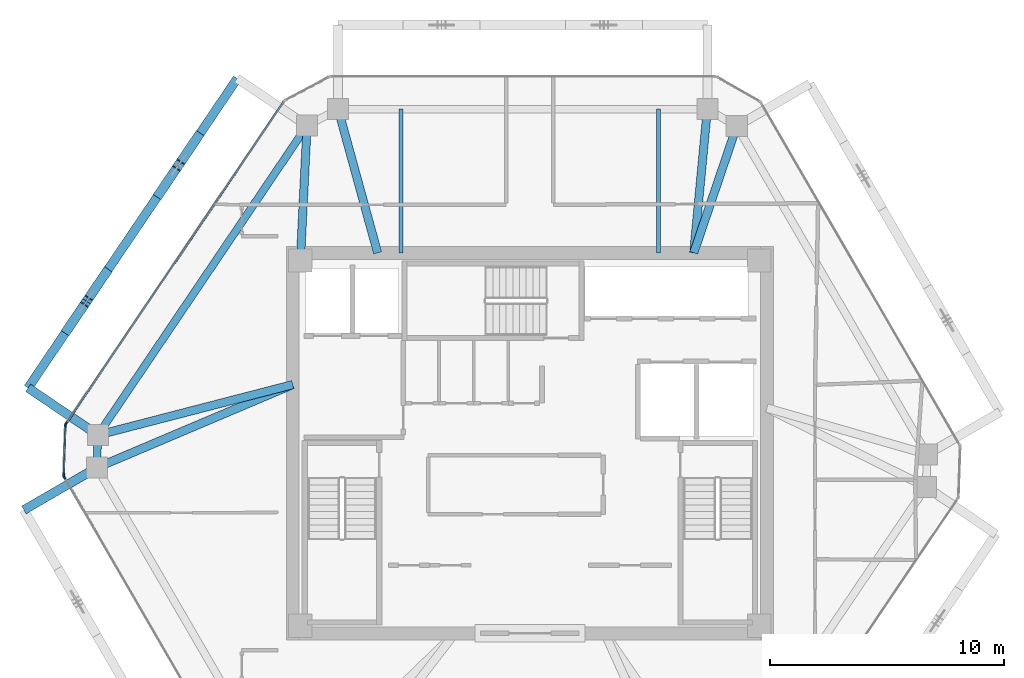
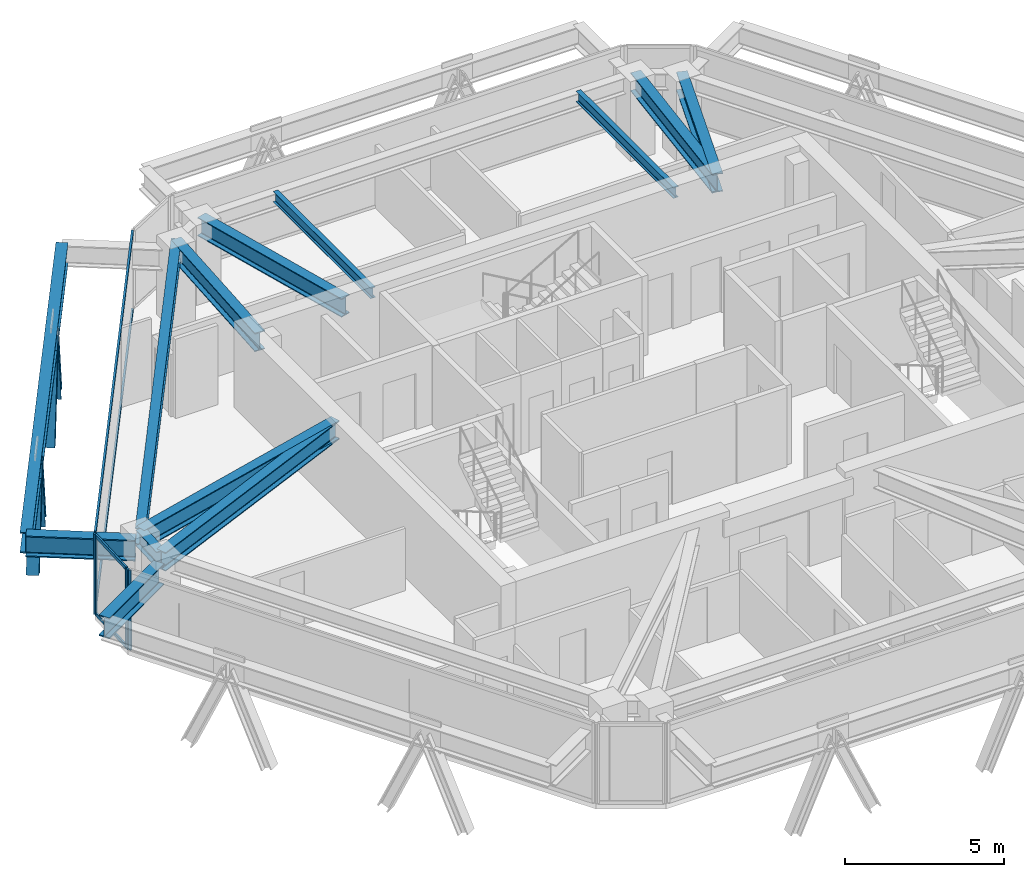
# One storey, part 4 of 13: 13 beams, 12 members, 3 elements without a shape of their own.
"""IFC4 building model written with IfcOpenShell, lengths in metres."""

from ifc_helpers import new_model, si_unit, direction, frame, origin, origin_2d, place, context, subcontext, project, spatial, rectangle, i_section, extrude, source, transform, mapped, material, layer, layer_set, material_profile, profile_set, type_object, type_shapes, element, aggregate, save


model = new_model("IFC4")

# Units and contexts
model_context = context("Model", 3, precision=1e-05, world=origin(), true_north=direction((0.0, 1.0)))
body_context = subcontext(model_context, "Body", "Model", "MODEL_VIEW")
ifc_project = project(units=[si_unit("LENGTHUNIT", "METRE"), si_unit("AREAUNIT", "SQUARE_METRE"), si_unit("VOLUMEUNIT", "CUBIC_METRE"), si_unit("PLANEANGLEUNIT", "RADIAN"), si_unit("MASSUNIT", "GRAM", prefix="KILO")], contexts=[model_context])

# Site, building, storey
site_placement = place(None, origin())
site = spatial("IfcSite", under=ifc_project, at=site_placement, CompositionType="ELEMENT")
building_placement = place(site_placement, origin())
building = spatial("IfcBuilding", under=site, at=building_placement, Name="Durnholm Broadcast Tower", CompositionType="ELEMENT")
storey_placement = place(building_placement, frame((0.0, 0.0, 248.0)))
storey = spatial("IfcBuildingStorey", under=building, at=storey_placement, Name="L69", CompositionType="ELEMENT", Elevation=248.0)

# Beams
ifc_material_1 = material(Name="Steel ASTM A992 Grade 50", Category="steel")
ifc_material_profile_1 = material_profile(ifc_material_1, i_section(OverallWidth=0.385009765625, OverallDepth=0.802978515625, WebThickness=0.023681640625, FlangeThickness=0.0419921875, FilletRadius=0.032958984375, at=origin_2d()), Name="W30X261")
ifc_profile_set_1 = profile_set([ifc_material_profile_1], Name="Steel ASTM A992 Grade 50")
beam_type_1 = type_object("IfcBeamType", Name="BM-EXO-TIE", PredefinedType="USERDEFINED", material=ifc_profile_set_1)
shared_shape_1 = source(origin(), body_context, "Body", "SweptSolid", [
    extrude(i_section(OverallWidth=0.385009765625, OverallDepth=0.802978515625, WebThickness=0.023681640625, FlangeThickness=0.0419921875, FilletRadius=0.032958984375, at=origin_2d()), origin(), (0.0, 0.0, 1.0), 3.4560546875),
])
for number, where, z_axis, x_axis, name in (
    (1, (-18.565673828125, 0.426513671875, 2.30859375), (-0.828413564093, 0.56011692246, 0.0), (-0.56011692246, -0.828413564093, 0.0), "L69 exoskeleton stand-off tie bracket F5.2"),
    (2, (-18.618896484375, -1.1201171875, 2.30859375), (-0.864876013532, -0.501985538852, 0.0), (0.501985538852, -0.864876013532, 0.0), "L69 exoskeleton stand-off tie bracket F6.1"),
):
    element("IfcBeam", number, at=place(storey_placement, frame(where, z_axis=z_axis, x_axis=x_axis)), inside=storey, type_object=beam_type_1, Name=name, ObjectType="GIRDER", PredefinedType="USERDEFINED", context=body_context, shape_type="MappedRepresentation", body=[
        mapped(shared_shape_1, transform((0.0, 0.0, 0.0), x_axis=(1.0, 0.0, 0.0), y_axis=(0.0, 1.0, 0.0), z_axis=(0.0, 0.0, 1.0), scale=1.0)),
    ])
ifc_material_profile_2 = material_profile(ifc_material_1, i_section(OverallWidth=0.3251953125, OverallDepth=0.6162109375, WebThickness=0.013916015625, FlangeThickness=0.021484375, FilletRadius=0.02783203125, at=origin_2d()), Name="W24X117")
ifc_profile_set_2 = profile_set([ifc_material_profile_2], Name="Steel ASTM A992 Grade 50")
beam_type_2 = type_object("IfcBeamType", Name="STL-SP-W24X117", PredefinedType="SPANDREL", material=ifc_profile_set_2)
shared_shape_2 = source(origin(), body_context, "Body", "SweptSolid", [
    extrude(i_section(OverallWidth=0.3251953125, OverallDepth=0.6162109375, WebThickness=0.013916015625, FlangeThickness=0.021484375, FilletRadius=0.02783203125, at=origin_2d()), origin(), (0.0, 0.0, 1.0), 1.39453125),
])
beam_1_placement = place(storey_placement, frame((-18.494384765625, -1.0478515625, 2.73681640625), z_axis=(0.034486393061, 0.999405167434, 0.0), x_axis=(-0.999405167434, 0.034486393061, 0.0)))
element("IfcBeam", 3, at=beam_1_placement, inside=storey, type_object=beam_type_2, Name="L69 perimeter spandrel girder 02", PredefinedType="SPANDREL", context=body_context, shape_type="MappedRepresentation", body=[
    mapped(shared_shape_2, transform((0.0, 0.0, 0.0), x_axis=(1.0, 0.0, 0.0), y_axis=(0.0, 1.0, 0.0), z_axis=(0.0, 0.0, 1.0), scale=1.0)),
])
shared_shape_3 = source(origin(), body_context, "Body", "SweptSolid", [
    extrude(i_section(OverallWidth=0.3251953125, OverallDepth=0.6162109375, WebThickness=0.013916015625, FlangeThickness=0.021484375, FilletRadius=0.02783203125, at=origin_2d()), origin(), (0.0, 0.0, 1.0), 15.947265625),
])
type_shapes(beam_type_2, [shared_shape_2, shared_shape_3])
beam_2_placement = place(storey_placement, frame((-18.4462890625, 0.345947265625, 2.73681640625), z_axis=(0.560062212489, 0.828450552623, 0.0), x_axis=(-0.828450552623, 0.560062212489, 0.0)))
element("IfcBeam", 4, at=beam_2_placement, inside=storey, type_object=beam_type_2, Name="L69 perimeter spandrel girder 03", PredefinedType="SPANDREL", context=body_context, shape_type="MappedRepresentation", body=[
    mapped(shared_shape_3, transform((0.0, 0.0, 0.0), x_axis=(1.0, 0.0, 0.0), y_axis=(0.0, 1.0, 0.0), z_axis=(0.0, 0.0, 1.0), scale=1.0)),
])
ifc_material_profile_3 = material_profile(ifc_material_1, i_section(OverallWidth=0.3564453125, OverallDepth=0.713623046875, WebThickness=0.01904296875, FlangeThickness=0.033935546875, FilletRadius=0.030517578125, at=origin_2d()), Name="W27X194")
ifc_profile_set_3 = profile_set([ifc_material_profile_3], Name="Steel ASTM A992 Grade 50")
beam_type_3 = type_object("IfcBeamType", Name="STL-GR-W27X194", PredefinedType="USERDEFINED", material=ifc_profile_set_3)
shared_shape_4 = source(origin(), body_context, "Body", "SweptSolid", [
    extrude(i_section(OverallWidth=0.3564453125, OverallDepth=0.713623046875, WebThickness=0.01904296875, FlangeThickness=0.033935546875, FilletRadius=0.030517578125, at=origin_2d()), origin(), (0.0, 0.0, 1.0), 5.764404296875),
])
beam_3_placement = place(storey_placement, frame((-9.800048828125, 7.800048828125, 2.688232421875), z_axis=(0.049468662109, 0.99877567625, 0.0), x_axis=(-0.99877567625, 0.049468662109, 0.0)))
element("IfcBeam", 5, at=beam_3_placement, inside=storey, type_object=beam_type_3, Name="L69 radial primary floor girder 04", ObjectType="GIRDER", PredefinedType="USERDEFINED", context=body_context, shape_type="MappedRepresentation", body=[
    mapped(shared_shape_4, transform((0.0, 0.0, 0.0), x_axis=(1.0, 0.0, 0.0), y_axis=(0.0, 1.0, 0.0), z_axis=(0.0, 0.0, 1.0), scale=1.0)),
])
shared_shape_5 = source(origin(), body_context, "Body", "SweptSolid", [
    extrude(i_section(OverallWidth=0.385009765625, OverallDepth=0.802978515625, WebThickness=0.023681640625, FlangeThickness=0.0419921875, FilletRadius=0.032958984375, at=origin_2d()), origin(), (0.0, 0.0, 1.0), 15.947021484375),
])
type_shapes(beam_type_1, [shared_shape_1, shared_shape_5])
beam_4_placement = place(storey_placement, frame((-12.497314453125, 15.573486328125, 2.30859375), z_axis=(-0.560069315853, -0.828445750451, 0.0), x_axis=(0.828445750451, -0.560069315853, 0.0)))
element("IfcBeam", 6, at=beam_4_placement, inside=storey, type_object=beam_type_1, Name="L69 exoskeleton collector spandrel F5", PredefinedType="SPANDREL", context=body_context, shape_type="MappedRepresentation", body=[
    mapped(shared_shape_5, transform((0.0, 0.0, 0.0), x_axis=(1.0, 0.0, 0.0), y_axis=(0.0, 1.0, 0.0), z_axis=(0.0, 0.0, 1.0), scale=1.0)),
])
shared_shape_6 = source(origin(), body_context, "Body", "SweptSolid", [
    extrude(i_section(OverallWidth=0.3564453125, OverallDepth=0.713623046875, WebThickness=0.01904296875, FlangeThickness=0.033935546875, FilletRadius=0.030517578125, at=origin_2d()), origin(), (0.0, 0.0, 1.0), 9.09033203125),
])
beam_5_placement = place(storey_placement, frame((-10.125, 2.5, 2.688232421875), z_axis=(-0.920692350722, -0.390289117607, 0.0), x_axis=(0.390289117607, -0.920692350722, 0.0)))
element("IfcBeam", 7, at=beam_5_placement, inside=storey, type_object=beam_type_3, Name="L69 radial primary floor girder 02", ObjectType="GIRDER", PredefinedType="USERDEFINED", context=body_context, shape_type="MappedRepresentation", body=[
    mapped(shared_shape_6, transform((0.0, 0.0, 0.0), x_axis=(1.0, 0.0, 0.0), y_axis=(0.0, 1.0, 0.0), z_axis=(0.0, 0.0, 1.0), scale=1.0)),
])
shared_shape_7 = source(origin(), body_context, "Body", "SweptSolid", [
    extrude(i_section(OverallWidth=0.3564453125, OverallDepth=0.713623046875, WebThickness=0.01904296875, FlangeThickness=0.033935546875, FilletRadius=0.030517578125, at=origin_2d()), origin(), (0.0, 0.0, 1.0), 8.595458984375),
])
beam_6_placement = place(storey_placement, frame((-10.125, 2.5, 2.688232421875), z_axis=(-0.968090619149, -0.250600385306, 0.0), x_axis=(0.250600385306, -0.968090619149, 0.0)))
element("IfcBeam", 8, at=beam_6_placement, inside=storey, type_object=beam_type_3, Name="L69 radial primary floor girder 03", ObjectType="GIRDER", PredefinedType="USERDEFINED", context=body_context, shape_type="MappedRepresentation", body=[
    mapped(shared_shape_7, transform((0.0, 0.0, 0.0), x_axis=(1.0, 0.0, 0.0), y_axis=(0.0, 1.0, 0.0), z_axis=(0.0, 0.0, 1.0), scale=1.0)),
])
shared_shape_8 = source(origin(), body_context, "Body", "SweptSolid", [
    extrude(i_section(OverallWidth=0.3564453125, OverallDepth=0.713623046875, WebThickness=0.01904296875, FlangeThickness=0.033935546875, FilletRadius=0.030517578125, at=origin_2d()), origin(), (0.0, 0.0, 1.0), 6.36474609375),
])
beam_7_placement = place(storey_placement, frame((-6.5, 8.125, 2.688232421875), z_axis=(-0.265168072834, 0.96420220553, 0.0), x_axis=(-0.96420220553, -0.265168072834, 0.0)))
element("IfcBeam", 9, at=beam_7_placement, inside=storey, type_object=beam_type_3, Name="L69 radial primary floor girder 05", ObjectType="GIRDER", PredefinedType="USERDEFINED", context=body_context, shape_type="MappedRepresentation", body=[
    mapped(shared_shape_8, transform((0.0, 0.0, 0.0), x_axis=(1.0, 0.0, 0.0), y_axis=(0.0, 1.0, 0.0), z_axis=(0.0, 0.0, 1.0), scale=1.0)),
])
shared_shape_9 = source(origin(), body_context, "Body", "SweptSolid", [
    extrude(i_section(OverallWidth=0.3564453125, OverallDepth=0.713623046875, WebThickness=0.01904296875, FlangeThickness=0.033935546875, FilletRadius=0.030517578125, at=origin_2d()), origin(), (0.0, 0.0, 1.0), 6.164306640625),
])
beam_8_placement = place(storey_placement, frame((7.0, 8.125, 2.688232421875), z_axis=(0.094024068139, 0.995569924521, 0.0), x_axis=(-0.995569924521, 0.094024068139, 0.0)))
element("IfcBeam", 10, at=beam_8_placement, inside=storey, type_object=beam_type_3, Name="L69 radial primary floor girder 06", ObjectType="GIRDER", PredefinedType="USERDEFINED", context=body_context, shape_type="MappedRepresentation", body=[
    mapped(shared_shape_9, transform((0.0, 0.0, 0.0), x_axis=(1.0, 0.0, 0.0), y_axis=(0.0, 1.0, 0.0), z_axis=(0.0, 0.0, 1.0), scale=1.0)),
])
shared_shape_10 = source(origin(), body_context, "Body", "SweptSolid", [
    extrude(i_section(OverallWidth=0.3564453125, OverallDepth=0.713623046875, WebThickness=0.01904296875, FlangeThickness=0.033935546875, FilletRadius=0.030517578125, at=origin_2d()), origin(), (0.0, 0.0, 1.0), 5.716064453125),
])
type_shapes(beam_type_3, [shared_shape_4, shared_shape_6, shared_shape_7, shared_shape_8, shared_shape_9, shared_shape_10])
beam_9_placement = place(storey_placement, frame((7.0, 8.125, 2.688232421875), z_axis=(0.321450919754, 0.946926241156, 0.0), x_axis=(-0.946926241156, 0.321450919754, 0.0)))
element("IfcBeam", 11, at=beam_9_placement, inside=storey, type_object=beam_type_3, Name="L69 radial primary floor girder 07", ObjectType="GIRDER", PredefinedType="USERDEFINED", context=body_context, shape_type="MappedRepresentation", body=[
    mapped(shared_shape_10, transform((0.0, 0.0, 0.0), x_axis=(1.0, 0.0, 0.0), y_axis=(0.0, 1.0, 0.0), z_axis=(0.0, 0.0, 1.0), scale=1.0)),
])
ifc_material_profile_4 = material_profile(ifc_material_1, i_section(OverallWidth=0.177734375, OverallDepth=0.40673828125, WebThickness=0.0078125, FlangeThickness=0.0126953125, FilletRadius=0.01904296875, at=origin_2d()), Name="W16X40")
ifc_profile_set_4 = profile_set([ifc_material_profile_4], Name="Steel ASTM A992 Grade 50")
beam_type_4 = type_object("IfcBeamType", Name="STL-BJ-W16X40", PredefinedType="JOIST", material=ifc_profile_set_4)
shared_shape_11 = source(origin(), body_context, "Body", "SweptSolid", [
    extrude(i_section(OverallWidth=0.177734375, OverallDepth=0.40673828125, WebThickness=0.0078125, FlangeThickness=0.0126953125, FilletRadius=0.01904296875, at=origin_2d()), origin(), (0.0, 0.0, 1.0), 6.136962890625),
])
type_shapes(beam_type_4, [shared_shape_11])
for number, where, z_axis, x_axis, name in (
    (12, (-5.5, 8.125, 2.841796875), (0.0, 1.0, 0.0), (-1.0, 0.0, 0.0), "L69 secondary floor joist 3.2"),
    (13, (5.5, 8.125, 2.841796875), (0.0, 1.0, 0.0), (-1.0, 0.0, 0.0), "L69 secondary floor joist 4.2"),
):
    element("IfcBeam", number, at=place(storey_placement, frame(where, z_axis=z_axis, x_axis=x_axis)), inside=storey, type_object=beam_type_4, Name=name, PredefinedType="JOIST", context=body_context, shape_type="MappedRepresentation", body=[
        mapped(shared_shape_11, transform((0.0, 0.0, 0.0), x_axis=(1.0, 0.0, 0.0), y_axis=(0.0, 1.0, 0.0), z_axis=(0.0, 0.0, 1.0), scale=1.0)),
    ])

# Members
ifc_material_2 = material(Name="Steel ASTM A913 Grade 65", Category="steel")
ifc_material_profile_5 = material_profile(ifc_material_2, i_section(OverallWidth=0.40625, OverallDepth=0.416015625, WebThickness=0.02978515625, FlangeThickness=0.048095703125, FilletRadius=0.030517578125, at=origin_2d()), Name="W14X257")
ifc_profile_set_5 = profile_set([ifc_material_profile_5], Name="Steel ASTM A913 Grade 65")
member_type_1 = type_object("IfcMemberType", Name="STL-DG-W14X257", PredefinedType="BRACE", material=ifc_profile_set_5)
shared_shape_12 = source(origin(), body_context, "Body", "SweptSolid", [
    extrude(i_section(OverallWidth=0.40625, OverallDepth=0.416015625, WebThickness=0.02978515625, FlangeThickness=0.048095703125, FilletRadius=0.030517578125, at=origin_2d()), origin(), (0.0, 0.0, 1.0), 3.60791015625),
])
type_shapes(member_type_1, [shared_shape_12])
for number, where, z_axis, x_axis, name in (
    (14, (-14.181396484375, 13.08251953125, -0.991455078125), (-0.226349134478, -0.334888450383, 0.914667040579), (0.828505003222, -0.559981660089, 0.0), "L69 stand-off diagrid brace F5.D1.1"),
    (15, (-15.814697265625, 10.666259765625, -0.991455078125), (0.226354263477, 0.334828369412, 0.914687766641), (-0.828452496411, 0.560059337206, 0.0), "L69 stand-off diagrid brace F5.D1.2"),
    (16, (-18.111328125, 7.269287109375, -0.991455078125), (-0.226354263477, -0.334828369412, 0.914687766641), (0.828452496411, -0.560059337206, 0.0), "L69 stand-off diagrid brace F5.D2.1"),
    (17, (-19.74462890625, 4.853271484375, -0.991455078125), (0.226354263477, 0.334828369412, 0.914687766641), (-0.828452496411, 0.560059337206, 0.0), "L69 stand-off diagrid brace F5.D2.2"),
):
    element("IfcMember", number, at=place(storey_placement, frame(where, z_axis=z_axis, x_axis=x_axis)), inside=storey, type_object=member_type_1, Name=name, PredefinedType="BRACE", context=body_context, shape_type="MappedRepresentation", body=[
        mapped(shared_shape_12, transform((0.0, 0.0, 0.0), x_axis=(1.0, 0.0, 0.0), y_axis=(0.0, 1.0, 0.0), z_axis=(0.0, 0.0, 1.0), scale=1.0)),
    ])

# Curtain wall, members
ifc_material_3 = material(Name="Aluminium and Solar Control IGU", Category="aluminium")
ifc_layer_1 = layer(ifc_material_3, 0.1650390625)
ifc_layer_set_1 = layer_set([ifc_layer_1], Name="Aluminium and Solar Control IGU")
curtain_wall_type_1 = type_object("IfcCurtainWallType", Name="CW-SYS-5", PredefinedType="NOTDEFINED", material=ifc_layer_set_1)
curtain_wall_1_placement = place(storey_placement, origin())
curtain_wall_1 = element("IfcCurtainWall", 18, at=curtain_wall_1_placement, inside=storey, type_object=curtain_wall_type_1, Name="L69 curtain wall CW-CORNER CW-L69-CRN-01", PredefinedType="NOTDEFINED")
ifc_material_4 = material(Name="Aluminium 6063-T6", Category="aluminium")
ifc_material_profile_6 = material_profile(ifc_material_4, rectangle(XDim=0.06494140625, YDim=0.1298828125, at=origin_2d()), Name="CWT65X130")
ifc_profile_set_6 = profile_set([ifc_material_profile_6], Name="Aluminium 6063-T6")
member_type_2 = type_object("IfcMemberType", Name="CW-SYS-5-TRN", PredefinedType="USERDEFINED", material=ifc_profile_set_6)
shared_shape_13 = source(origin(), body_context, "Body", "SweptSolid", [
    extrude(rectangle(XDim=0.06494140625, YDim=0.1298828125, at=origin_2d()), origin(), (0.0, 0.0, 1.0), 2.070068359375),
])
type_shapes(member_type_2, [shared_shape_13])
member_1_placement = place(storey_placement, frame((-19.905029296875, -1.33740234375, 0.032470703125), z_axis=(0.034320104965, 0.999410891673, 0.0), x_axis=(-0.999410891673, 0.034320104965, 0.0)))
member_1 = element("IfcMember", 19, at=member_1_placement, type_object=member_type_2, Name="CW-CORNER transom 1.1", ObjectType="TRANSOM", PredefinedType="USERDEFINED", context=body_context, shape_type="MappedRepresentation", body=[
    mapped(shared_shape_13, transform((0.0, 0.0, 0.0), x_axis=(1.0, 0.0, 0.0), y_axis=(0.0, 1.0, 0.0), z_axis=(0.0, 0.0, 1.0), scale=1.0)),
])
member_2_placement = place(storey_placement, frame((-19.905029296875, -1.33740234375, 3.027587890625), z_axis=(0.034320104965, 0.999410891673, 0.0), x_axis=(-0.999410891673, 0.034320104965, 0.0)))
member_2 = element("IfcMember", 20, at=member_2_placement, type_object=member_type_2, Name="CW-CORNER transom 1.2", ObjectType="TRANSOM", PredefinedType="USERDEFINED", context=body_context, shape_type="MappedRepresentation", body=[
    mapped(shared_shape_13, transform((0.0, 0.0, 0.0), x_axis=(1.0, 0.0, 0.0), y_axis=(0.0, 1.0, 0.0), z_axis=(0.0, 0.0, 1.0), scale=1.0)),
])
ifc_material_profile_7 = material_profile(ifc_material_4, rectangle(XDim=0.06494140625, YDim=0.1650390625, at=origin_2d()), Name="CWM65X165")
ifc_profile_set_7 = profile_set([ifc_material_profile_7], Name="Aluminium 6063-T6")
member_type_3 = type_object("IfcMemberType", Name="CW-SYS-5-MUL", PredefinedType="MULLION", material=ifc_profile_set_7)
shared_shape_14 = source(origin(), body_context, "Body", "SweptSolid", [
    extrude(rectangle(XDim=0.06494140625, YDim=0.1650390625, at=origin_2d()), origin(), (0.0, 0.0, 1.0), 3.06005859375),
])
type_shapes(member_type_3, [shared_shape_14])
member_3_placement = place(storey_placement, frame((-19.90625, -1.369873046875, 0.0), z_axis=(0.0, 0.0, 1.0), x_axis=(-0.999410955514, 0.034318245849, 0.0)))
member_3 = element("IfcMember", 21, at=member_3_placement, type_object=member_type_3, Name="CW-CORNER mullion 1", PredefinedType="MULLION", context=body_context, shape_type="MappedRepresentation", body=[
    mapped(shared_shape_14, transform((0.0, 0.0, 0.0), x_axis=(1.0, 0.0, 0.0), y_axis=(0.0, 1.0, 0.0), z_axis=(0.0, 0.0, 1.0), scale=1.0)),
])
member_4_placement = place(storey_placement, frame((-19.8330078125, 0.763916015625, 0.0), z_axis=(0.0, 0.0, 1.0), x_axis=(-0.999410955514, 0.034318245849, 0.0)))
member_4 = element("IfcMember", 22, at=member_4_placement, type_object=member_type_3, Name="CW-CORNER mullion 2", PredefinedType="MULLION", context=body_context, shape_type="MappedRepresentation", body=[
    mapped(shared_shape_14, transform((0.0, 0.0, 0.0), x_axis=(1.0, 0.0, 0.0), y_axis=(0.0, 1.0, 0.0), z_axis=(0.0, 0.0, 1.0), scale=1.0)),
])
aggregate(curtain_wall_1, [member_3, member_4, member_1, member_2])

# Curtain wall, member
ifc_layer_2 = layer(ifc_material_3, 0.18994140625)
ifc_layer_set_2 = layer_set([ifc_layer_2], Name="Aluminium and Solar Control IGU")
curtain_wall_type_2 = type_object("IfcCurtainWallType", Name="CW-SYS-4", PredefinedType="NOTDEFINED", material=ifc_layer_set_2)
curtain_wall_2_placement = place(storey_placement, origin())
curtain_wall_2 = element("IfcCurtainWall", 23, at=curtain_wall_2_placement, inside=storey, type_object=curtain_wall_type_2, Name="L69 curtain wall CW-Z34-VIS CW-L69-F02", PredefinedType="NOTDEFINED")
ifc_material_profile_8 = material_profile(ifc_material_4, rectangle(XDim=0.070068359375, YDim=0.18994140625, at=origin_2d()), Name="CWM70X190")
ifc_profile_set_8 = profile_set([ifc_material_profile_8], Name="Aluminium 6063-T6")
member_type_4 = type_object("IfcMemberType", Name="CW-SYS-4-MUL", PredefinedType="MULLION", material=ifc_profile_set_8)
shared_shape_15 = source(origin(), body_context, "Body", "SweptSolid", [
    extrude(rectangle(XDim=0.070068359375, YDim=0.18994140625, at=origin_2d()), origin(), (0.0, 0.0, 1.0), 3.06005859375),
])
type_shapes(member_type_4, [shared_shape_15])
member_5_placement = place(storey_placement, frame((-19.812255859375, 0.825439453125, 0.0), z_axis=(0.0, 0.0, 1.0), x_axis=(-0.828443431662, 0.560072745753, 0.0)))
member_5 = element("IfcMember", 24, at=member_5_placement, type_object=member_type_4, Name="CW-Z34-VIS mullion 1", PredefinedType="MULLION", context=body_context, shape_type="MappedRepresentation", body=[
    mapped(shared_shape_15, transform((0.0, 0.0, 0.0), x_axis=(1.0, 0.0, 0.0), y_axis=(0.0, 1.0, 0.0), z_axis=(0.0, 0.0, 1.0), scale=1.0)),
])

curtain_wall_3_placement = place(storey_placement, origin())
curtain_wall_3 = element("IfcCurtainWall", 25, at=curtain_wall_3_placement, inside=storey, type_object=curtain_wall_type_2, Name="L69 curtain wall CW-Z34-VIS CW-L69-F12", PredefinedType="NOTDEFINED")
member_6_placement = place(storey_placement, frame((-19.8896484375, -1.4326171875, 0.0), z_axis=(0.0, 0.0, 1.0), x_axis=(-0.864899883824, -0.50194441023, 0.0)))
member_6 = element("IfcMember", 26, at=member_6_placement, type_object=member_type_4, Name="CW-Z34-VIS mullion 2", PredefinedType="MULLION", context=body_context, shape_type="MappedRepresentation", body=[
    mapped(shared_shape_15, transform((0.0, 0.0, 0.0), x_axis=(1.0, 0.0, 0.0), y_axis=(0.0, 1.0, 0.0), z_axis=(0.0, 0.0, 1.0), scale=1.0)),
])
aggregate(curtain_wall_3, [member_6])

# Member
ifc_material_profile_9 = material_profile(ifc_material_4, rectangle(XDim=0.070068359375, YDim=0.14990234375, at=origin_2d()), Name="CWT70X150")
ifc_profile_set_9 = profile_set([ifc_material_profile_9], Name="Aluminium 6063-T6")
member_type_5 = type_object("IfcMemberType", Name="CW-SYS-4-TRN", PredefinedType="USERDEFINED", material=ifc_profile_set_9)
shared_shape_16 = source(origin(), body_context, "Body", "SweptSolid", [
    extrude(rectangle(XDim=0.070068359375, YDim=0.14990234375, at=origin_2d()), origin(), (0.0, 0.0, 1.0), 16.55859375),
])
type_shapes(member_type_5, [shared_shape_16])
member_7_placement = place(storey_placement, frame((-19.79248046875, 0.8544921875, 0.034912109375), z_axis=(0.560071338091, 0.828444383317, 0.0), x_axis=(-0.828444383317, 0.560071338091, 0.0)))
member_7 = element("IfcMember", 27, at=member_7_placement, type_object=member_type_5, Name="CW-Z34-VIS transom 1.1", ObjectType="TRANSOM", PredefinedType="USERDEFINED", context=body_context, shape_type="MappedRepresentation", body=[
    mapped(shared_shape_16, transform((0.0, 0.0, 0.0), x_axis=(1.0, 0.0, 0.0), y_axis=(0.0, 1.0, 0.0), z_axis=(0.0, 0.0, 1.0), scale=1.0)),
])

member_8_placement = place(storey_placement, frame((-19.79248046875, 0.8544921875, 3.02490234375), z_axis=(0.560071338091, 0.828444383317, 0.0), x_axis=(-0.828444383317, 0.560071338091, 0.0)))
member_8 = element("IfcMember", 28, at=member_8_placement, type_object=member_type_5, Name="CW-Z34-VIS transom 1.2", ObjectType="TRANSOM", PredefinedType="USERDEFINED", context=body_context, shape_type="MappedRepresentation", body=[
    mapped(shared_shape_16, transform((0.0, 0.0, 0.0), x_axis=(1.0, 0.0, 0.0), y_axis=(0.0, 1.0, 0.0), z_axis=(0.0, 0.0, 1.0), scale=1.0)),
])

aggregate(curtain_wall_2, [member_5, member_7, member_8])

save(model, "model.ifc")
